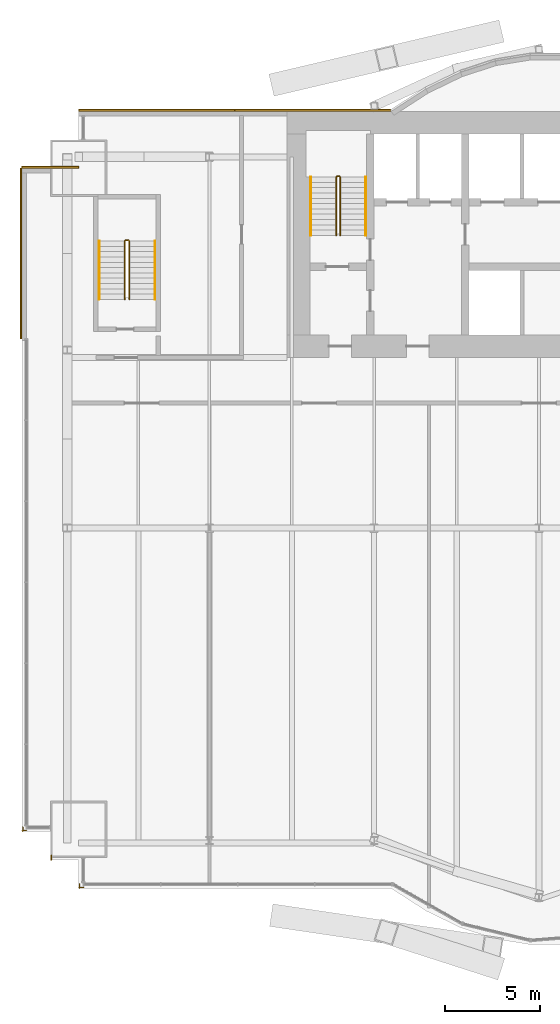
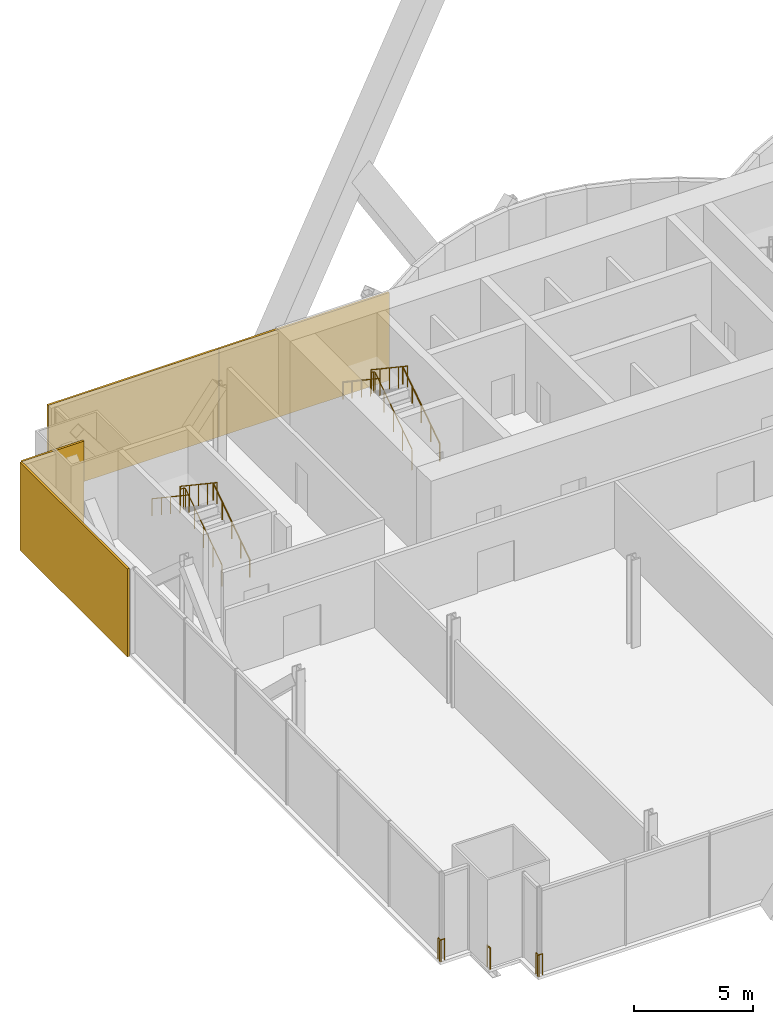
# One storey, part 21 of 23: 9 railings, 4 coverings.
"""IFC4 building model written with IfcOpenShell, lengths in metres."""

import ifcopenshell
import ifcopenshell.guid

model = None  # the IFC model being written
_history = None  # IfcOwnerHistory: only IFC2X3 demands one
_inside = {}  # id of a spatial element -> (the spatial element, [elements in it])
_under = {}  # id of a project, library or spatial element -> (it, [spatial elements below it])
_declared = {}  # id of a project -> (the project, [libraries it declares])
_typed = {}  # id of a type object -> (the type object, [elements of that type])
_made_of = {}  # id of a material, layer set ... -> (it, [elements and type objects made of it])


def new_model(schema):
    """Start an empty IFC model of exactly this schema.

    Asked for "IFC4X3", IfcOpenShell would pick the latest addendum, in which some entities
    have other attributes; the version numbers below select the first issue.
    IFC2X3 requires an IfcOwnerHistory on every rooted entity: one is made here for all.
    """
    global model, _history
    if schema == "IFC4X3":
        model = ifcopenshell.file(schema_version=(4, 3, 0, 0))
    else:
        model = ifcopenshell.file(schema=schema)
    _inside.clear()
    _under.clear()
    _declared.clear()
    _typed.clear()
    _made_of.clear()
    _history = None
    if model.schema == "IFC2X3":
        org = make("IfcOrganization", Name="unknown")
        user = make(
            "IfcPersonAndOrganization",
            ThePerson=make("IfcPerson", FamilyName="unknown"),
            TheOrganization=org,
        )
        app = make(
            "IfcApplication",
            ApplicationDeveloper=org,
            Version="unknown",
            ApplicationFullName="unknown",
            ApplicationIdentifier="unknown",
        )
        _history = make(
            "IfcOwnerHistory",
            OwningUser=user,
            OwningApplication=app,
            ChangeAction="ADDED",
            CreationDate=0,
        )
    return model


def make(cls, **values):
    """One entity of the class cls with the attributes given. An attribute that is None is left unset."""
    return model.create_entity(
        cls, **{name: value for name, value in values.items() if value is not None}
    )


def rooted(cls, **values):
    """An entity with a GlobalId (a new one), such as an element, a storey or a relation."""
    return make(cls, GlobalId=ifcopenshell.guid.new(), OwnerHistory=_history, **values)


def si_unit(unit_type, name, prefix=None):
    """IfcSIUnit, for example si_unit("LENGTHUNIT", "METRE", prefix="MILLI")."""
    return make("IfcSIUnit", UnitType=unit_type, Prefix=prefix, Name=name)


def assignment(units):
    """IfcUnitAssignment: the units of a project."""
    return None if units is None else make("IfcUnitAssignment", Units=units)


def point(xyz):
    """IfcCartesianPoint."""
    return None if xyz is None else make("IfcCartesianPoint", Coordinates=xyz)


def direction(xyz):
    """IfcDirection."""
    return None if xyz is None else make("IfcDirection", DirectionRatios=xyz)


def frame(location, z_axis=None, x_axis=None):
    """IfcAxis2Placement3D, a coordinate frame: its origin and axes. An axis left out is left unset."""
    return make(
        "IfcAxis2Placement3D",
        Location=point(location),
        Axis=direction(z_axis),
        RefDirection=direction(x_axis),
    )


def frame_2d(location, x_axis=None):
    """IfcAxis2Placement2D, a coordinate frame in the plane: its origin and x axis."""
    return make(
        "IfcAxis2Placement2D", Location=point(location), RefDirection=direction(x_axis)
    )


def origin():
    """The frame at (0, 0, 0) with its axes left unset."""
    return frame((0.0, 0.0, 0.0))


def origin_2d():
    """The frame at (0, 0) in the plane with its x axis left unset."""
    return frame_2d((0.0, 0.0))


def place(relative_to, where):
    """IfcLocalPlacement: puts the frame where relative to a parent placement (None: the world)."""
    return make(
        "IfcLocalPlacement", PlacementRelTo=relative_to, RelativePlacement=where
    )


def context(
    kind, dimensions, precision=None, world=None, true_north=None, identifier=None
):
    """IfcGeometricRepresentationContext, for example the 3D "Model" context."""
    return make(
        "IfcGeometricRepresentationContext",
        ContextIdentifier=identifier,
        ContextType=kind,
        CoordinateSpaceDimension=dimensions,
        Precision=precision,
        WorldCoordinateSystem=world,
        TrueNorth=true_north,
    )


def subcontext(parent, identifier, kind, view, scale=None):
    """IfcGeometricRepresentationSubContext, for example "Body" below "Model"."""
    return make(
        "IfcGeometricRepresentationSubContext",
        ContextIdentifier=identifier,
        ContextType=kind,
        ParentContext=parent,
        TargetScale=scale,
        TargetView=view,
    )


def project(units=None, contexts=None):
    """IfcProject with its units and contexts."""
    return rooted(
        "IfcProject",
        Name="project",
        RepresentationContexts=contexts,
        UnitsInContext=assignment(units),
    )


def spatial(cls, under=None, at=None, **own):
    """A site, building, storey or space (cls), placed at a placement, below another one or the project."""
    s = rooted(cls, ObjectPlacement=at, **own)
    if under is not None:
        _under.setdefault(under.id(), (under, []))[1].append(s)
    return s


def profile(cls, at=None, kind="AREA", **sizes):
    """A parametric profile (cls). Its sizes go by their IFC names, for example OverallWidth=200.0."""
    return make(cls, ProfileType=kind, Position=at, **sizes)


def rectangle(**sizes):
    """IfcRectangleProfileDef."""
    return profile("IfcRectangleProfileDef", **sizes)


def circle(**sizes):
    """IfcCircleProfileDef."""
    return profile("IfcCircleProfileDef", **sizes)


def extrude(swept, where, along, depth):
    """IfcExtrudedAreaSolid: the profile swept, set in the frame where, extruded along a direction by depth."""
    return make(
        "IfcExtrudedAreaSolid",
        SweptArea=swept,
        Position=where,
        ExtrudedDirection=direction(along),
        Depth=depth,
    )


def shape(context_of_items, identifier, shape_type, items):
    """IfcShapeRepresentation: the items that make up one representation, for example the "Body"."""
    return make(
        "IfcShapeRepresentation",
        ContextOfItems=context_of_items,
        RepresentationIdentifier=identifier,
        RepresentationType=shape_type,
        Items=items,
    )


def material(Name=None, Category=None):
    """IfcMaterial."""
    return make("IfcMaterial", Name=Name, Category=Category)


def layer(
    of_material, thickness, ventilated=None, Name=None, Category=None, Priority=None
):
    """IfcMaterialLayer: one layer of a wall or slab, of a material (None: an air gap)."""
    return make(
        "IfcMaterialLayer",
        Material=of_material,
        LayerThickness=thickness,
        IsVentilated=ventilated,
        Name=Name,
        Category=Category,
        Priority=Priority,
    )


def layer_set(layers, Name=None):
    """IfcMaterialLayerSet."""
    return make("IfcMaterialLayerSet", MaterialLayers=layers, LayerSetName=Name)


def made_of(thing, what):
    """Note that an element or type object is made of a material, layer set ...; save() writes the relation."""
    if what is not None:
        _made_of.setdefault(what.id(), (what, []))[1].append(thing)
    return thing


def type_object(cls, material=None, **own):
    """A type object (cls), such as IfcWallType, which elements share."""
    return made_of(rooted(cls, **own), material)


def element(
    cls,
    number,
    at=None,
    inside=None,
    cuts=None,
    type_object=None,
    material=None,
    context=None,
    identifier="Body",
    shape_type=None,
    held_by="IfcProductDefinitionShape",
    body=None,
    shapes=None,
    **own,
):
    """One element of the class cls, such as IfcWall. Its Tag is "e" and its number.

    at: its placement. inside: the storey or other place that contains it. cuts: it is an
    opening in that element (IfcRelVoidsElement). A single representation is given by context,
    identifier, shape_type and body (its items); several are given by shapes. held_by: the class
    of the entity that holds the representations. save() writes the other relations.
    """
    e = rooted(cls, Tag="e%d" % number, ObjectPlacement=at, **own)
    if body is not None:
        shapes = [shape(context, identifier, shape_type, body)]
    if shapes is not None:
        e.Representation = make(held_by, Representations=shapes)
    if inside is not None:
        _inside.setdefault(inside.id(), (inside, []))[1].append(e)
    if cuts is not None:
        rooted(
            "IfcRelVoidsElement", RelatingBuildingElement=cuts, RelatedOpeningElement=e
        )
    if type_object is not None:
        _typed.setdefault(type_object.id(), (type_object, []))[1].append(e)
    return made_of(e, material)


def aggregate(whole, parts):
    """IfcRelAggregates: a whole, such as a stair, and the parts it consists of."""
    return rooted("IfcRelAggregates", RelatingObject=whole, RelatedObjects=parts)


def save(model, path):
    """Write the relations noted so far, then the file.

    IfcRelAggregates (storeys below a building ...), IfcRelContainedInSpatialStructure (elements
    in a storey), IfcRelDefinesByType, IfcRelAssociatesMaterial and IfcRelDeclares: one each for
    every whole, place, type object, material and project.
    """
    for whole, parts in _under.values():
        aggregate(whole, parts)
    for where, things in _inside.values():
        rooted(
            "IfcRelContainedInSpatialStructure",
            RelatedElements=things,
            RelatingStructure=where,
        )
    for kind, things in _typed.values():
        rooted("IfcRelDefinesByType", RelatedObjects=things, RelatingType=kind)
    for what, things in _made_of.values():
        rooted("IfcRelAssociatesMaterial", RelatedObjects=things, RelatingMaterial=what)
    for by, libraries in _declared.values():
        rooted("IfcRelDeclares", RelatingContext=by, RelatedDefinitions=libraries)
    model.write(path)


model = new_model("IFC4")

# Units and contexts
model_context = context("Model", 3, precision=1e-05, world=origin(), true_north=direction((0.0, 1.0)))
body_context = subcontext(model_context, "Body", "Model", "MODEL_VIEW")
ifc_project = project(units=[si_unit("LENGTHUNIT", "METRE"), si_unit("AREAUNIT", "SQUARE_METRE"), si_unit("VOLUMEUNIT", "CUBIC_METRE"), si_unit("PLANEANGLEUNIT", "RADIAN"), si_unit("MASSUNIT", "GRAM", prefix="KILO")], contexts=[model_context])

# Site, building, storey
site_placement = place(None, origin())
site = spatial("IfcSite", under=ifc_project, at=site_placement, CompositionType="ELEMENT")
building_placement = place(site_placement, origin())
building = spatial("IfcBuilding", under=site, at=building_placement, Name="Bicima Exchange Tower", CompositionType="ELEMENT")
storey_placement = place(building_placement, frame((0.0, 0.0, 53.0)))
storey = spatial("IfcBuildingStorey", under=building, at=storey_placement, Name="L10", CompositionType="ELEMENT", Elevation=53.0)

# Coverings
ifc_material_1 = material(Name="Bronze metal cladding")
ifc_layer_1 = layer(ifc_material_1, 0.004)
ifc_material_2 = material(Name="Ventilated cavity")
ifc_layer_2 = layer(ifc_material_2, 0.06)
ifc_material_3 = material(Name="Galvanised steel rail and mineral wool", Category="steel")
ifc_layer_3 = layer(ifc_material_3, 0.036)
ifc_layer_set = layer_set([ifc_layer_1, ifc_layer_2, ifc_layer_3], Name="Ventilated cavity")
covering_type = type_object("IfcCoveringType", Name="Bronze metal cladding panel 100", PredefinedType="CLADDING", material=ifc_layer_set)
for number, where, z_axis, x_axis, name in (
    (1, (-20.625, 0.050048828125, -0.14990234375), (0.0, 0.0, 1.0), (-1.0, 0.0, 0.0), "Bronze cladding L10 20.1"),
    (2, (-28.875, 0.050048828125, -0.14990234375), (0.0, 0.0, 1.0), (-1.0, 0.0, 0.0), "Bronze cladding L10 20.2"),
):
    element("IfcCovering", number, at=place(storey_placement, frame(where, z_axis=z_axis, x_axis=x_axis)), inside=storey, type_object=covering_type, Name=name, PredefinedType="CLADDING", context=body_context, shape_type="SweptSolid", body=[
        extrude(rectangle(XDim=8.25, YDim=0.10009765625, at=origin_2d()), origin(), (0.0, 0.0, 1.0), 4.5),
    ])
covering_1_placement = place(storey_placement, frame((-34.5, -2.949951171875, -0.14990234375), z_axis=(0.0, 0.0, 1.0), x_axis=(-1.0, 0.0, 0.0)))
element("IfcCovering", 3, at=covering_1_placement, inside=storey, type_object=covering_type, Name="Bronze cladding L10 22.1", PredefinedType="CLADDING", context=body_context, shape_type="SweptSolid", body=[
    extrude(rectangle(XDim=3.0, YDim=0.10009765625, at=origin_2d()), origin(), (0.0, 0.0, 1.0), 4.5),
])
covering_2_placement = place(storey_placement, frame((-36.050048828125, -7.5, -0.14990234375), z_axis=(0.0, 0.0, 1.0), x_axis=(0.0, -1.0, 0.0)))
element("IfcCovering", 4, at=covering_2_placement, inside=storey, type_object=covering_type, Name="Bronze cladding L10 23.1", PredefinedType="CLADDING", context=body_context, shape_type="SweptSolid", body=[
    extrude(rectangle(XDim=9.0, YDim=0.10009765625, at=origin_2d()), origin(), (0.0, 0.0, 1.0), 4.5),
])

# Railings
ifc_material_4 = material(Name="Stainless steel and bonded safety glass", Category="steel")
railing_type_1 = type_object("IfcRailingType", Name="Edge guard 1100", PredefinedType="GUARDRAIL", material=ifc_material_4)
railing_1_placement = place(storey_placement, frame((-35.75, -37.97412109375, 0.0)))
element("IfcRailing", 5, at=railing_1_placement, inside=storey, type_object=railing_type_1, Name="Edge guard L10 39", PredefinedType="GUARDRAIL", context=body_context, shape_type="SweptSolid", body=[
    extrude(circle(Radius=0.02392578125, at=origin_2d()), frame((0.0, 0.0, 1.076171875), z_axis=(-1.0, 0.0, 0.0), x_axis=(0.0, -1.0, 0.0)), (0.0, 0.0, 1.0), 0.25),
    extrude(circle(Radius=0.02392578125, at=origin_2d()), frame((-0.25, 0.0, 1.076171875), z_axis=(0.708833529934, -0.705375805398, 0.0), x_axis=(0.705375805398, 0.708833529934, 0.0)), (0.0, 0.0, 1.0), 0.070556640625),
    extrude(circle(Radius=0.02392578125, at=origin_2d()), frame((-0.199951171875, -0.0498046875, 1.076171875), z_axis=(0.0, 1.0, 0.0), x_axis=(-1.0, 0.0, 0.0)), (0.0, 0.0, 1.0), 0.248046875),
    extrude(circle(Radius=0.02099609375, at=origin_2d()), origin(), (0.0, 0.0, 1.0), 1.052001953125),
    extrude(circle(Radius=0.02099609375, at=origin_2d()), frame((-0.25, 0.0, 0.0)), (0.0, 0.0, 1.0), 1.052001953125),
    extrude(circle(Radius=0.02099609375, at=origin_2d()), frame((-0.199951171875, -0.0498046875, 0.0)), (0.0, 0.0, 1.0), 1.052001953125),
    extrude(circle(Radius=0.02099609375, at=origin_2d()), frame((-0.199951171875, 0.1982421875, 0.0)), (0.0, 0.0, 1.0), 1.052001953125),
])
railing_2_placement = place(storey_placement, frame((-32.75, -40.97412109375, 0.0)))
element("IfcRailing", 6, at=railing_2_placement, inside=storey, type_object=railing_type_1, Name="Edge guard L10 43", PredefinedType="GUARDRAIL", context=body_context, shape_type="SweptSolid", body=[
    extrude(circle(Radius=0.02392578125, at=origin_2d()), frame((0.0, 0.0, 1.076171875), z_axis=(-1.0, 0.0, 0.0), x_axis=(0.0, -1.0, 0.0)), (0.0, 0.0, 1.0), 0.25),
    extrude(circle(Radius=0.02392578125, at=origin_2d()), frame((-0.25, 0.0, 1.076171875), z_axis=(0.708833529934, -0.705375805398, 0.0), x_axis=(0.705375805398, 0.708833529934, 0.0)), (0.0, 0.0, 1.0), 0.070556640625),
    extrude(circle(Radius=0.02392578125, at=origin_2d()), frame((-0.199951171875, -0.0498046875, 1.076171875), z_axis=(0.0, 1.0, 0.0), x_axis=(-1.0, 0.0, 0.0)), (0.0, 0.0, 1.0), 0.25),
    extrude(circle(Radius=0.02099609375, at=origin_2d()), origin(), (0.0, 0.0, 1.0), 1.052001953125),
    extrude(circle(Radius=0.02099609375, at=origin_2d()), frame((-0.25, 0.0, 0.0)), (0.0, 0.0, 1.0), 1.052001953125),
    extrude(circle(Radius=0.02099609375, at=origin_2d()), frame((-0.199951171875, -0.0498046875, 0.0)), (0.0, 0.0, 1.0), 1.052001953125),
    extrude(circle(Radius=0.02099609375, at=origin_2d()), frame((-0.199951171875, 0.2001953125, 0.0)), (0.0, 0.0, 1.0), 1.052001953125),
])
railing_3_placement = place(storey_placement, frame((-34.449951171875, -39.52392578125, 0.0)))
element("IfcRailing", 7, at=railing_3_placement, inside=storey, type_object=railing_type_1, Name="Edge guard L10 44", PredefinedType="GUARDRAIL", context=body_context, shape_type="SweptSolid", body=[
    extrude(circle(Radius=0.02392578125, at=origin_2d()), frame((0.0, 0.0, 1.076171875), z_axis=(0.0, 1.0, 0.0), x_axis=(-1.0, 0.0, 0.0)), (0.0, 0.0, 1.0), 0.25),
    extrude(circle(Radius=0.02099609375, at=origin_2d()), origin(), (0.0, 0.0, 1.0), 1.052001953125),
    extrude(circle(Radius=0.02099609375, at=origin_2d()), frame((0.0, 0.25, 0.0)), (0.0, 0.0, 1.0), 1.052001953125),
])
ifc_material_5 = material(Name="Stainless steel", Category="steel")
railing_type_2 = type_object("IfcRailingType", Name="Stair guard 1100", PredefinedType="GUARDRAIL", material=ifc_material_5)
railing_4_placement = place(storey_placement, frame((-19.199951171875, -6.550048828125, 0.1875)))
element("IfcRailing", 8, at=railing_4_placement, inside=storey, type_object=railing_type_2, Name="L10 ST-W stair guard 1", PredefinedType="GUARDRAIL", context=body_context, shape_type="SweptSolid", body=[
    extrude(circle(Radius=0.02392578125, at=origin_2d()), frame((0.0, 0.0, 1.076171875), z_axis=(0.0, 0.830913701846, 0.55640131208), x_axis=(-1.0, 0.0, 0.0)), (0.0, 0.0, 1.0), 3.706787109375),
    extrude(circle(Radius=0.02392578125, at=origin_2d()), frame((0.0, 3.080078125, 3.138671875), z_axis=(-0.707106781187, 0.707106781187, 0.0), x_axis=(-0.707106781187, -0.707106781187, 0.0)), (0.0, 0.0, 1.0), 0.07080078125),
    extrude(circle(Radius=0.02392578125, at=origin_2d()), frame((-0.050048828125, 3.130126953125, 3.138671875), z_axis=(-1.0, 0.0, 0.0), x_axis=(0.0, -1.0, 0.0)), (0.0, 0.0, 1.0), 0.10009765625),
    extrude(circle(Radius=0.02392578125, at=origin_2d()), frame((-0.150146484375, 3.130126953125, 3.138671875), z_axis=(-0.248583702486, -0.249802250048, 0.935844527007), x_axis=(0.708833529934, -0.705375805398, 0.0)), (0.0, 0.0, 1.0), 0.200439453125),
    extrude(circle(Radius=0.02392578125, at=origin_2d()), frame((-0.199951171875, 3.080078125, 3.326171875), z_axis=(0.0, -0.830913701846, 0.55640131208), x_axis=(1.0, 0.0, 0.0)), (0.0, 0.0, 1.0), 3.706787109375),
    extrude(circle(Radius=0.02099609375, at=origin_2d()), origin(), (0.0, 0.0, 1.0), 1.052001953125),
    extrude(circle(Radius=0.02099609375, at=origin_2d()), frame((0.0, 0.77001953125, 0.515625)), (0.0, 0.0, 1.0), 1.052001953125),
    extrude(circle(Radius=0.02099609375, at=origin_2d()), frame((0.0, 1.5400390625, 1.03125)), (0.0, 0.0, 1.0), 1.052001953125),
    extrude(circle(Radius=0.02099609375, at=origin_2d()), frame((0.0, 2.31005859375, 1.546875)), (0.0, 0.0, 1.0), 1.052001953125),
    extrude(circle(Radius=0.02099609375, at=origin_2d()), frame((0.0, 3.080078125, 2.0625)), (0.0, 0.0, 1.0), 1.052001953125),
    extrude(circle(Radius=0.02099609375, at=origin_2d()), frame((-0.050048828125, 3.130126953125, 2.0625)), (0.0, 0.0, 1.0), 1.052001953125),
    extrude(circle(Radius=0.02099609375, at=origin_2d()), frame((-0.150146484375, 3.130126953125, 2.0625)), (0.0, 0.0, 1.0), 1.052001953125),
    extrude(circle(Radius=0.02099609375, at=origin_2d()), frame((-0.199951171875, 3.080078125, 2.25)), (0.0, 0.0, 1.0), 1.052001953125),
    extrude(circle(Radius=0.02099609375, at=origin_2d()), frame((-0.199951171875, 2.31005859375, 2.765625)), (0.0, 0.0, 1.0), 1.052001953125),
    extrude(circle(Radius=0.02099609375, at=origin_2d()), frame((-0.199951171875, 1.5400390625, 3.28125)), (0.0, 0.0, 1.0), 1.052001953125),
    extrude(circle(Radius=0.02099609375, at=origin_2d()), frame((-0.199951171875, 0.77001953125, 3.796875)), (0.0, 0.0, 1.0), 1.052001953125),
    extrude(circle(Radius=0.02099609375, at=origin_2d()), frame((-0.199951171875, 0.0, 4.3125)), (0.0, 0.0, 1.0), 1.052001953125),
])
railing_5_placement = place(storey_placement, frame((-30.324951171875, -9.925048828125, 0.1875)))
element("IfcRailing", 9, at=railing_5_placement, inside=storey, type_object=railing_type_2, Name="L10 ST-WW stair guard 1", PredefinedType="GUARDRAIL", context=body_context, shape_type="SweptSolid", body=[
    extrude(circle(Radius=0.02392578125, at=origin_2d()), frame((0.0, 0.0, 1.076171875), z_axis=(0.0, 0.830913701846, 0.55640131208), x_axis=(-1.0, 0.0, 0.0)), (0.0, 0.0, 1.0), 3.706787109375),
    extrude(circle(Radius=0.02392578125, at=origin_2d()), frame((0.0, 3.080078125, 3.138671875), z_axis=(-0.707106781187, 0.707106781187, 0.0), x_axis=(-0.707106781187, -0.707106781187, 0.0)), (0.0, 0.0, 1.0), 0.07080078125),
    extrude(circle(Radius=0.02392578125, at=origin_2d()), frame((-0.050048828125, 3.130126953125, 3.138671875), z_axis=(-1.0, 0.0, 0.0), x_axis=(0.0, -1.0, 0.0)), (0.0, 0.0, 1.0), 0.14990234375),
    extrude(circle(Radius=0.02392578125, at=origin_2d()), frame((-0.199951171875, 3.130126953125, 3.138671875), z_axis=(-0.249726431254, -0.249726431254, 0.935560483917), x_axis=(0.707106781187, -0.707106781187, 0.0)), (0.0, 0.0, 1.0), 0.200439453125),
    extrude(circle(Radius=0.02392578125, at=origin_2d()), frame((-0.25, 3.080078125, 3.326171875), z_axis=(0.0, -0.830913701846, 0.55640131208), x_axis=(1.0, 0.0, 0.0)), (0.0, 0.0, 1.0), 3.706787109375),
    extrude(circle(Radius=0.02099609375, at=origin_2d()), origin(), (0.0, 0.0, 1.0), 1.052001953125),
    extrude(circle(Radius=0.02099609375, at=origin_2d()), frame((0.0, 0.77001953125, 0.515625)), (0.0, 0.0, 1.0), 1.052001953125),
    extrude(circle(Radius=0.02099609375, at=origin_2d()), frame((0.0, 1.5400390625, 1.03125)), (0.0, 0.0, 1.0), 1.052001953125),
    extrude(circle(Radius=0.02099609375, at=origin_2d()), frame((0.0, 2.31005859375, 1.546875)), (0.0, 0.0, 1.0), 1.052001953125),
    extrude(circle(Radius=0.02099609375, at=origin_2d()), frame((0.0, 3.080078125, 2.0625)), (0.0, 0.0, 1.0), 1.052001953125),
    extrude(circle(Radius=0.02099609375, at=origin_2d()), frame((-0.050048828125, 3.130126953125, 2.0625)), (0.0, 0.0, 1.0), 1.052001953125),
    extrude(circle(Radius=0.02099609375, at=origin_2d()), frame((-0.199951171875, 3.130126953125, 2.0625)), (0.0, 0.0, 1.0), 1.052001953125),
    extrude(circle(Radius=0.02099609375, at=origin_2d()), frame((-0.25, 3.080078125, 2.25)), (0.0, 0.0, 1.0), 1.052001953125),
    extrude(circle(Radius=0.02099609375, at=origin_2d()), frame((-0.25, 2.31005859375, 2.765625)), (0.0, 0.0, 1.0), 1.052001953125),
    extrude(circle(Radius=0.02099609375, at=origin_2d()), frame((-0.25, 1.5400390625, 3.28125)), (0.0, 0.0, 1.0), 1.052001953125),
    extrude(circle(Radius=0.02099609375, at=origin_2d()), frame((-0.25, 0.77001953125, 3.796875)), (0.0, 0.0, 1.0), 1.052001953125),
    extrude(circle(Radius=0.02099609375, at=origin_2d()), frame((-0.25, 0.0, 4.3125)), (0.0, 0.0, 1.0), 1.052001953125),
])
railing_type_3 = type_object("IfcRailingType", Name="Stair handrail 900", PredefinedType="HANDRAIL", material=ifc_material_5)
railing_6_placement = place(storey_placement, frame((-17.85009765625, -6.550048828125, 0.1875)))
element("IfcRailing", 10, at=railing_6_placement, inside=storey, type_object=railing_type_3, Name="L10 ST-W stair handrail 1", PredefinedType="HANDRAIL", context=body_context, shape_type="SweptSolid", body=[
    extrude(circle(Radius=0.02392578125, at=origin_2d()), frame((0.0, 0.0, 0.8759765625), z_axis=(0.0, 0.830913701846, 0.55640131208), x_axis=(-1.0, 0.0, 0.0)), (0.0, 0.0, 1.0), 3.706787109375),
    extrude(circle(Radius=0.02099609375, at=origin_2d()), origin(), (0.0, 0.0, 1.0), 0.851806640625),
    extrude(circle(Radius=0.02099609375, at=origin_2d()), frame((0.0, 0.77001953125, 0.515625)), (0.0, 0.0, 1.0), 0.851806640625),
    extrude(circle(Radius=0.02099609375, at=origin_2d()), frame((0.0, 1.5400390625, 1.03125)), (0.0, 0.0, 1.0), 0.851806640625),
    extrude(circle(Radius=0.02099609375, at=origin_2d()), frame((0.0, 2.31005859375, 1.546875)), (0.0, 0.0, 1.0), 0.851806640625),
    extrude(circle(Radius=0.02099609375, at=origin_2d()), frame((0.0, 3.080078125, 2.0625)), (0.0, 0.0, 1.0), 0.851806640625),
])
railing_7_placement = place(storey_placement, frame((-20.75, -3.469970703125, 2.47900390625)))
element("IfcRailing", 11, at=railing_7_placement, inside=storey, type_object=railing_type_3, Name="L10 ST-W stair handrail 2", PredefinedType="HANDRAIL", context=body_context, shape_type="SweptSolid", body=[
    extrude(circle(Radius=0.02392578125, at=origin_2d()), frame((0.0, 0.0, 0.8759765625), z_axis=(0.0, -0.830913701846, 0.55640131208), x_axis=(1.0, 0.0, 0.0)), (0.0, 0.0, 1.0), 3.706787109375),
    extrude(circle(Radius=0.02099609375, at=origin_2d()), origin(), (0.0, 0.0, 1.0), 0.851806640625),
    extrude(circle(Radius=0.02099609375, at=origin_2d()), frame((0.0, -0.77001953125, 0.515625)), (0.0, 0.0, 1.0), 0.851806640625),
    extrude(circle(Radius=0.02099609375, at=origin_2d()), frame((0.0, -1.5400390625, 1.03125)), (0.0, 0.0, 1.0), 0.851806640625),
    extrude(circle(Radius=0.02099609375, at=origin_2d()), frame((0.0, -2.31005859375, 1.546875)), (0.0, 0.0, 1.0), 0.851806640625),
    extrude(circle(Radius=0.02099609375, at=origin_2d()), frame((0.0, -3.080078125, 2.0625)), (0.0, 0.0, 1.0), 0.851806640625),
])
railing_8_placement = place(storey_placement, frame((-28.97509765625, -9.925048828125, 0.1875)))
element("IfcRailing", 12, at=railing_8_placement, inside=storey, type_object=railing_type_3, Name="L10 ST-WW stair handrail 1", PredefinedType="HANDRAIL", context=body_context, shape_type="SweptSolid", body=[
    extrude(circle(Radius=0.02392578125, at=origin_2d()), frame((0.0, 0.0, 0.8759765625), z_axis=(0.0, 0.830913701846, 0.55640131208), x_axis=(-1.0, 0.0, 0.0)), (0.0, 0.0, 1.0), 3.706787109375),
    extrude(circle(Radius=0.02099609375, at=origin_2d()), origin(), (0.0, 0.0, 1.0), 0.851806640625),
    extrude(circle(Radius=0.02099609375, at=origin_2d()), frame((0.0, 0.77001953125, 0.515625)), (0.0, 0.0, 1.0), 0.851806640625),
    extrude(circle(Radius=0.02099609375, at=origin_2d()), frame((0.0, 1.5400390625, 1.03125)), (0.0, 0.0, 1.0), 0.851806640625),
    extrude(circle(Radius=0.02099609375, at=origin_2d()), frame((0.0, 2.31005859375, 1.546875)), (0.0, 0.0, 1.0), 0.851806640625),
    extrude(circle(Radius=0.02099609375, at=origin_2d()), frame((0.0, 3.080078125, 2.0625)), (0.0, 0.0, 1.0), 0.851806640625),
])
railing_9_placement = place(storey_placement, frame((-31.925048828125, -6.844970703125, 2.47900390625)))
element("IfcRailing", 13, at=railing_9_placement, inside=storey, type_object=railing_type_3, Name="L10 ST-WW stair handrail 2", PredefinedType="HANDRAIL", context=body_context, shape_type="SweptSolid", body=[
    extrude(circle(Radius=0.02392578125, at=origin_2d()), frame((0.0, 0.0, 0.8759765625), z_axis=(0.0, -0.830913701846, 0.55640131208), x_axis=(1.0, 0.0, 0.0)), (0.0, 0.0, 1.0), 3.706787109375),
    extrude(circle(Radius=0.02099609375, at=origin_2d()), origin(), (0.0, 0.0, 1.0), 0.851806640625),
    extrude(circle(Radius=0.02099609375, at=origin_2d()), frame((0.0, -0.77001953125, 0.515625)), (0.0, 0.0, 1.0), 0.851806640625),
    extrude(circle(Radius=0.02099609375, at=origin_2d()), frame((0.0, -1.5400390625, 1.03125)), (0.0, 0.0, 1.0), 0.851806640625),
    extrude(circle(Radius=0.02099609375, at=origin_2d()), frame((0.0, -2.31005859375, 1.546875)), (0.0, 0.0, 1.0), 0.851806640625),
    extrude(circle(Radius=0.02099609375, at=origin_2d()), frame((0.0, -3.080078125, 2.0625)), (0.0, 0.0, 1.0), 0.851806640625),
])

save(model, "model.ifc")
